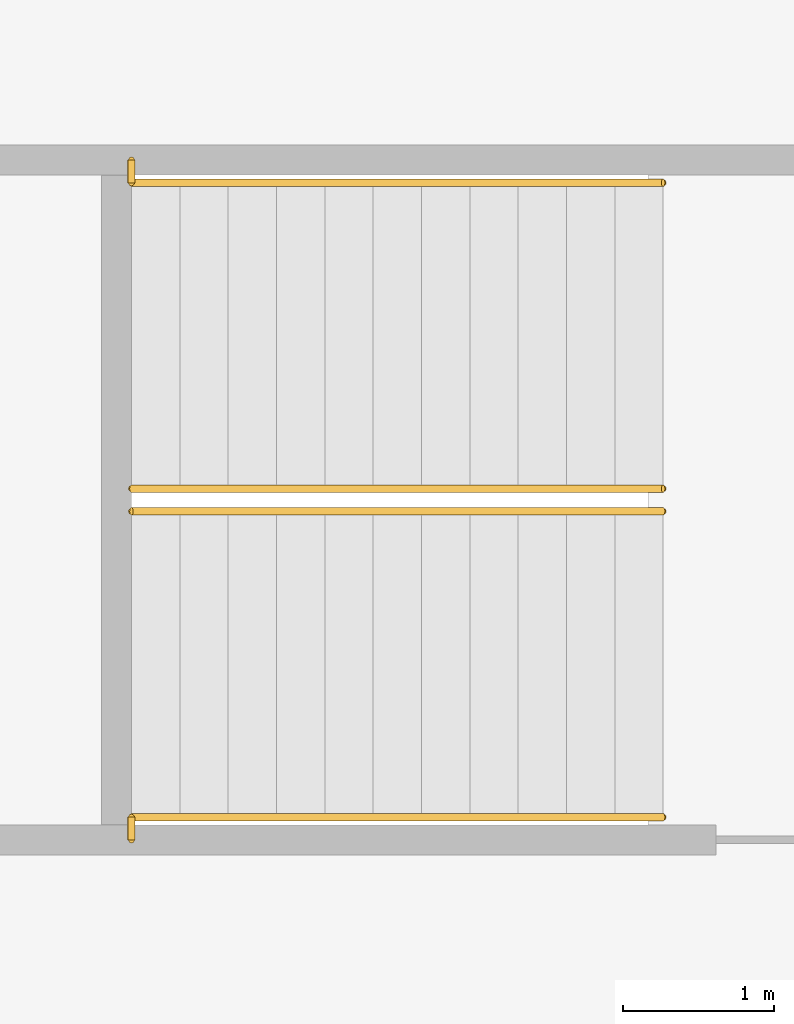
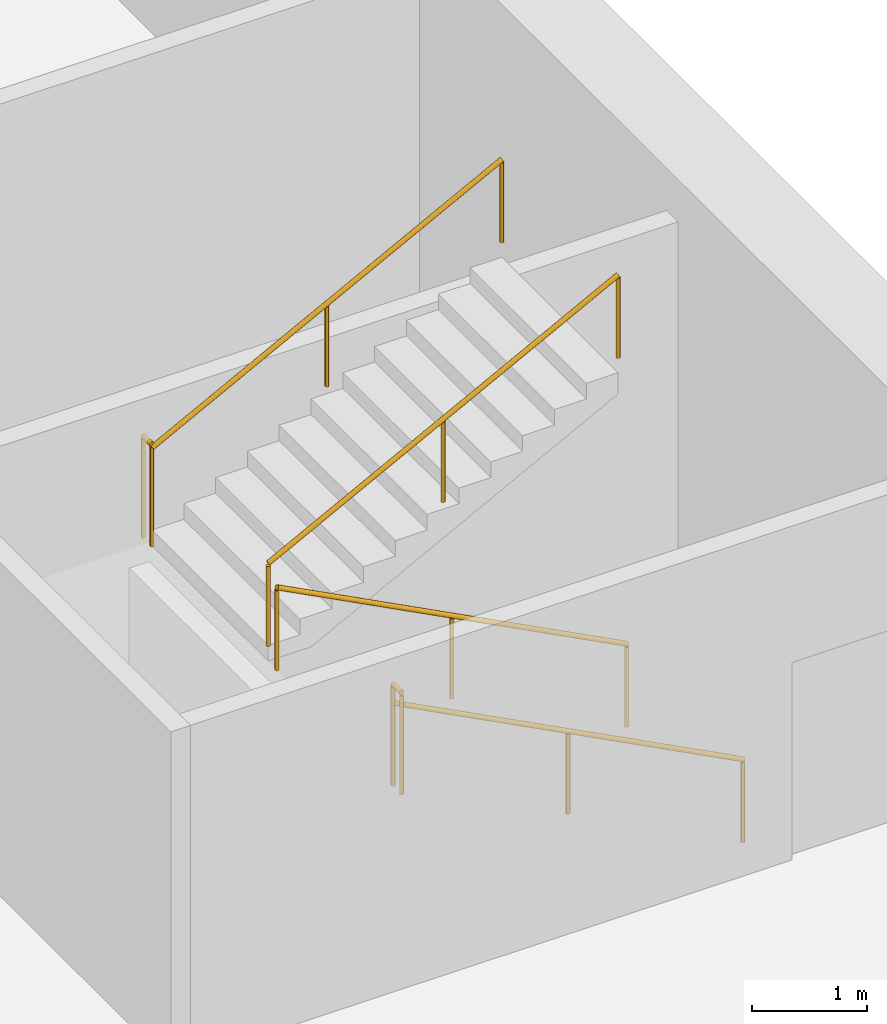
# One storey, part 30 of 31: 6 railings.
"""IFC4 building model written with IfcOpenShell, lengths in metres."""

from ifc_helpers import new_model, si_unit, direction, frame, origin, origin_2d, place, context, subcontext, project, spatial, circle, extrude, source, transform, mapped, material, type_object, element, save


model = new_model("IFC4")

# Units and contexts
model_context = context("Model", 3, precision=1e-05, world=origin(), true_north=direction((0.0, 1.0)))
body_context = subcontext(model_context, "Body", "Model", "MODEL_VIEW")
ifc_project = project(units=[si_unit("LENGTHUNIT", "METRE"), si_unit("AREAUNIT", "SQUARE_METRE"), si_unit("VOLUMEUNIT", "CUBIC_METRE"), si_unit("PLANEANGLEUNIT", "RADIAN"), si_unit("MASSUNIT", "GRAM", prefix="KILO")], contexts=[model_context])

# Site, building, storey
site_placement = place(None, origin())
site = spatial("IfcSite", under=ifc_project, at=site_placement, CompositionType="ELEMENT")
building_placement = place(site_placement, origin())
building = spatial("IfcBuilding", under=site, at=building_placement, Name="Altepetl Exchange Towers", CompositionType="ELEMENT")
storey_placement = place(building_placement, frame((0.0, 0.0, -4.0)))
storey = spatial("IfcBuildingStorey", under=building, at=storey_placement, Name="B1 Basement services", CompositionType="ELEMENT", Elevation=-4.0)

# Railings
ifc_material_1 = material(Name="Laminated glass and steel", Category="steel")
railing_type_1 = type_object("IfcRailingType", Name="Hall gallery guard 1100", PredefinedType="GUARDRAIL", material=ifc_material_1)
shared_shape_1 = source(origin(), body_context, "Body", "SweptSolid", [
    extrude(circle(Radius=0.02001953125, at=origin_2d()), origin(), (0.0, 0.0, 1.0), 1.050048828125),
])
for number, where, name in (
    (1, (146.8798828125, 27.0, 2.0), "rail:P:B1:ES7land0"),
    (2, (146.8798828125, 31.35009765625, 2.0), "rail:P:B1:ES7land1"),
):
    element("IfcRailing", number, at=place(storey_placement, frame(where)), inside=storey, type_object=railing_type_1, Name=name, PredefinedType="GUARDRAIL", context=body_context, shape_type="SweptSolid", body=[
        extrude(circle(Radius=0.02490234375, at=origin_2d()), frame((0.0, 0.0, 1.0751953125), z_axis=(0.0, 1.0, 0.0), x_axis=(-1.0, 0.0, 0.0)), (0.0, 0.0, 1.0), 0.14990234375),
        mapped(shared_shape_1, transform((0.0, 0.0, 0.0))),
        mapped(shared_shape_1, transform((0.0, 0.14990234375, 0.0))),
    ])
ifc_material_2 = material(Name="Stainless steel", Category="steel")
railing_type_2 = type_object("IfcRailingType", Name="Stair handrail 900", PredefinedType="HANDRAIL", material=ifc_material_2)
shared_shape_2 = source(origin(), body_context, "Body", "SweptSolid", [
    extrude(circle(Radius=0.02001953125, at=origin_2d()), origin(), (0.0, 0.0, 1.0), 0.849853515625),
])
for number, where, name in (
    (3, (150.39990234375, 27.14990234375, 0.166748046875), "rail:P:B1:ES7:1a"),
    (4, (150.39990234375, 29.175048828125, 0.166748046875), "rail:P:B1:ES7:1b"),
):
    element("IfcRailing", number, at=place(storey_placement, frame(where)), inside=storey, type_object=railing_type_2, Name=name, PredefinedType="HANDRAIL", context=body_context, shape_type="SweptSolid", body=[
        extrude(circle(Radius=0.02490234375, at=origin_2d()), frame((0.0, 0.0, 0.875), z_axis=(-0.886923534906, 0.0, 0.461916272965), x_axis=(0.0, -1.0, 0.0)), (0.0, 0.0, 1.0), 3.96875),
        mapped(shared_shape_2, transform((0.0, 0.0, 0.0))),
        mapped(shared_shape_2, transform((-1.760009765625, 0.0, 0.91650390625))),
        mapped(shared_shape_2, transform((-3.52001953125, 0.0, 1.833251953125))),
    ])
for number, where, name in (
    (5, (146.8798828125, 29.324951171875, 2.166748046875), "rail:P:B1:ES7:2a"),
    (6, (146.8798828125, 31.35009765625, 2.166748046875), "rail:P:B1:ES7:2b"),
):
    element("IfcRailing", number, at=place(storey_placement, frame(where)), inside=storey, type_object=railing_type_2, Name=name, PredefinedType="HANDRAIL", context=body_context, shape_type="SweptSolid", body=[
        extrude(circle(Radius=0.02490234375, at=origin_2d()), frame((0.0, 0.0, 0.875), z_axis=(0.886923534906, 0.0, 0.461916272965), x_axis=(0.0, 1.0, 0.0)), (0.0, 0.0, 1.0), 3.96875),
        mapped(shared_shape_2, transform((0.0, 0.0, 0.0))),
        mapped(shared_shape_2, transform((1.760009765625, 0.0, 0.91650390625))),
        mapped(shared_shape_2, transform((3.52001953125, 0.0, 1.833251953125))),
    ])

save(model, "model.ifc")
